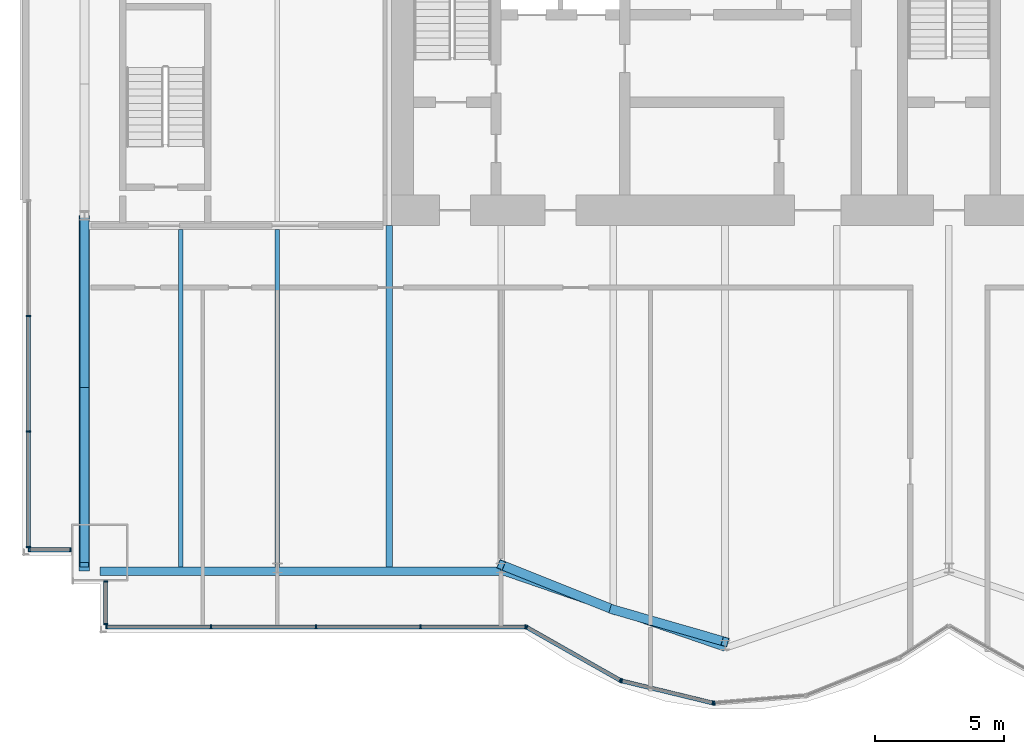
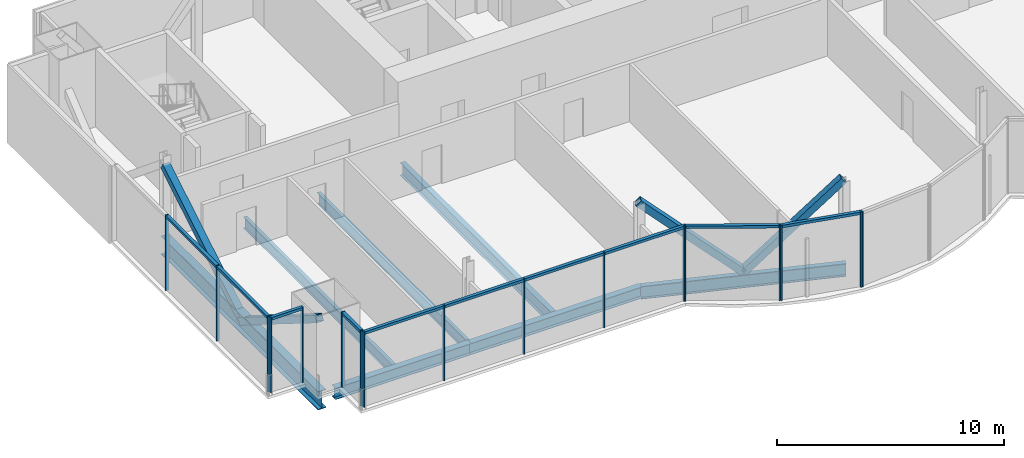
# One storey, part 5 of 19: 31 members, 7 beams, 5 elements without a shape of their own.
"""IFC4 building model written with IfcOpenShell, lengths in metres."""

from ifc_helpers import new_model, si_unit, direction, frame, origin, origin_2d, place, context, subcontext, project, spatial, rectangle, hollow_rectangle, i_section, extrude, material, material_profile, profile_set, type_object, element, aggregate, save


model = new_model("IFC4")

# Units and contexts
model_context = context("Model", 3, precision=1e-05, world=origin(), true_north=direction((0.0, 1.0)))
body_context = subcontext(model_context, "Body", "Model", "MODEL_VIEW")
ifc_project = project(units=[si_unit("LENGTHUNIT", "METRE"), si_unit("AREAUNIT", "SQUARE_METRE"), si_unit("VOLUMEUNIT", "CUBIC_METRE"), si_unit("PLANEANGLEUNIT", "RADIAN"), si_unit("MASSUNIT", "GRAM", prefix="KILO")], contexts=[model_context])

# Site, building, storey
site_placement = place(None, origin())
site = spatial("IfcSite", under=ifc_project, at=site_placement, CompositionType="ELEMENT")
building_placement = place(site_placement, origin())
building = spatial("IfcBuilding", under=site, at=building_placement, Name="Bicima Exchange Tower", CompositionType="ELEMENT")
storey_placement = place(building_placement, frame((0.0, 0.0, 266.60009765625)))
storey = spatial("IfcBuildingStorey", under=building, at=storey_placement, Name="L60", CompositionType="ELEMENT", Elevation=266.60009765625)

# Curtain wall, members
ifc_material_1 = material(Name="Anodised bronze aluminium", Category="aluminium")
curtain_wall_type_1 = type_object("IfcCurtainWallType", Name="End face glass wall", PredefinedType="NOTDEFINED", material=ifc_material_1)
curtain_wall_1_placement = place(storey_placement, origin())
curtain_wall_1 = element("IfcCurtainWall", 1, at=curtain_wall_1_placement, inside=storey, type_object=curtain_wall_type_1, Name="End face glass wall L60 run 2", PredefinedType="NOTDEFINED")
ifc_material_profile_1 = material_profile(ifc_material_1, rectangle(XDim=0.159912109375, YDim=0.06005859375, at=origin_2d()))
ifc_profile_set_1 = profile_set([ifc_material_profile_1], Name="Anodised bronze aluminium")
member_type_1 = type_object("IfcMemberType", Name="End face glass wall mullion 60 x 160", PredefinedType="MULLION", material=ifc_profile_set_1)
member_1_placement = place(storey_placement, frame((-35.77001953125, -16.5146484375, 0.0), z_axis=(0.0, 0.0, 1.0), x_axis=(1.0, 0.0, 0.0)))
member_1 = element("IfcMember", 2, at=member_1_placement, type_object=member_type_1, Name="End face glass wall mullion 2", PredefinedType="MULLION", context=body_context, shape_type="SweptSolid", body=[
    extrude(rectangle(XDim=0.159912109375, YDim=0.06005859375, at=origin_2d()), origin(), (0.0, 0.0, 1.0), 4.0498046875),
])
member_2_placement = place(storey_placement, frame((-35.77001953125, -20.999267578125, 0.0), z_axis=(0.0, 0.0, 1.0), x_axis=(1.0, 0.0, 0.0)))
member_2 = element("IfcMember", 3, at=member_2_placement, type_object=member_type_1, Name="End face glass wall mullion 3", PredefinedType="MULLION", context=body_context, shape_type="SweptSolid", body=[
    extrude(rectangle(XDim=0.159912109375, YDim=0.06005859375, at=origin_2d()), origin(), (0.0, 0.0, 1.0), 4.0498046875),
])
member_3_placement = place(storey_placement, frame((-35.77001953125, -25.48388671875, 0.0), z_axis=(0.0, 0.0, 1.0), x_axis=(1.0, 0.0, 0.0)))
member_3 = element("IfcMember", 4, at=member_3_placement, type_object=member_type_1, Name="End face glass wall mullion 4", PredefinedType="MULLION", context=body_context, shape_type="SweptSolid", body=[
    extrude(rectangle(XDim=0.159912109375, YDim=0.06005859375, at=origin_2d()), origin(), (0.0, 0.0, 1.0), 4.0498046875),
])
ifc_material_profile_2 = material_profile(ifc_material_1, rectangle(XDim=0.159912109375, YDim=0.139892578125, at=origin_2d()))
ifc_profile_set_2 = profile_set([ifc_material_profile_2], Name="Anodised bronze aluminium")
member_type_2 = type_object("IfcMemberType", Name="End face glass wall transom 140 x 160", PredefinedType="USERDEFINED", material=ifc_profile_set_2)
member_4_placement = place(storey_placement, frame((-35.77001953125, -16.544677734375, 3.97998046875), z_axis=(0.0, -1.0, 0.0), x_axis=(1.0, 0.0, 0.0)))
member_4 = element("IfcMember", 5, at=member_4_placement, type_object=member_type_2, Name="End face glass wall transom 2.1", ObjectType="TRANSOM", PredefinedType="USERDEFINED", context=body_context, shape_type="SweptSolid", body=[
    extrude(rectangle(XDim=0.159912109375, YDim=0.139892578125, at=origin_2d()), origin(), (0.0, 0.0, 1.0), 4.424560546875),
])
member_5_placement = place(storey_placement, frame((-35.77001953125, -21.029296875, 3.97998046875), z_axis=(0.0, -1.0, 0.0), x_axis=(1.0, 0.0, 0.0)))
member_5 = element("IfcMember", 6, at=member_5_placement, type_object=member_type_2, Name="End face glass wall transom 3.1", ObjectType="TRANSOM", PredefinedType="USERDEFINED", context=body_context, shape_type="SweptSolid", body=[
    extrude(rectangle(XDim=0.159912109375, YDim=0.139892578125, at=origin_2d()), origin(), (0.0, 0.0, 1.0), 4.4248046875),
])
aggregate(curtain_wall_1, [member_1, member_2, member_3, member_4, member_5])

# Beams
ifc_material_2 = material(Name="Steel ASTM A992 Gr 50", Category="steel")
ifc_material_profile_3 = material_profile(ifc_material_2, i_section(OverallWidth=0.4013671875, OverallDepth=0.990478515625, WebThickness=0.0166015625, FlangeThickness=0.031005859375, at=origin_2d()))
ifc_profile_set_3 = profile_set([ifc_material_profile_3], Name="Steel ASTM A992 Gr 50")
beam_type_1 = type_object("IfcBeamType", Name="End girder W40x215", PredefinedType="BEAM", material=ifc_profile_set_3)
beam_1_placement = place(storey_placement, frame((-33.60009765625, -12.60009765625, -0.6455078125), z_axis=(0.0, -1.0, 0.0), x_axis=(1.0, 0.0, 0.0)))
element("IfcBeam", 7, at=beam_1_placement, inside=storey, type_object=beam_type_1, Name="End girder", PredefinedType="BEAM", context=body_context, shape_type="SweptSolid", body=[
    extrude(i_section(OverallWidth=0.4013671875, OverallDepth=0.990478515625, WebThickness=0.0166015625, FlangeThickness=0.031005859375, at=origin_2d()), origin(), (0.0, 0.0, 1.0), 13.823974609375),
])
ifc_material_profile_4 = material_profile(ifc_material_2, i_section(OverallWidth=0.177978515625, OverallDepth=0.599365234375, WebThickness=0.010009765625, FlangeThickness=0.012939453125, at=origin_2d()))
ifc_profile_set_4 = profile_set([ifc_material_profile_4], Name="Steel ASTM A992 Gr 50")
beam_type_2 = type_object("IfcBeamType", Name="Floor beam W24x55", PredefinedType="JOIST", material=ifc_profile_set_4)
for number, where, z_axis, x_axis, name in (
    (8, (-29.85009765625, -13.15234375, -0.44970703125), (0.0, -1.0, 0.0), (1.0, 0.0, 0.0), "Floor beam"),
    (9, (-26.10009765625, -13.15234375, -0.44970703125), (0.0, -1.0, 0.0), (1.0, 0.0, 0.0), "Floor beam"),
):
    element("IfcBeam", number, at=place(storey_placement, frame(where, z_axis=z_axis, x_axis=x_axis)), inside=storey, type_object=beam_type_2, Name=name, PredefinedType="JOIST", context=body_context, shape_type="SweptSolid", body=[
        extrude(i_section(OverallWidth=0.177978515625, OverallDepth=0.599365234375, WebThickness=0.010009765625, FlangeThickness=0.012939453125, at=origin_2d()), origin(), (0.0, 0.0, 1.0), 13.109130859375),
    ])
ifc_material_profile_5 = material_profile(ifc_material_2, i_section(OverallWidth=0.25390625, OverallDepth=0.67822265625, WebThickness=0.01171875, FlangeThickness=0.016357421875, at=origin_2d()))
ifc_profile_set_5 = profile_set([ifc_material_profile_5], Name="Steel ASTM A992 Gr 50")
beam_type_3 = type_object("IfcBeamType", Name="Floor beam W27x84", PredefinedType="JOIST", material=ifc_profile_set_5)
beam_2_placement = place(storey_placement, frame((-21.75, -13.0, -0.4892578125), z_axis=(0.0, -1.0, 0.0), x_axis=(1.0, 0.0, 0.0)))
element("IfcBeam", 10, at=beam_2_placement, inside=storey, type_object=beam_type_3, Name="Floor beam", PredefinedType="JOIST", context=body_context, shape_type="SweptSolid", body=[
    extrude(i_section(OverallWidth=0.25390625, OverallDepth=0.67822265625, WebThickness=0.01171875, FlangeThickness=0.016357421875, at=origin_2d()), origin(), (0.0, 0.0, 1.0), 13.261474609375),
])
ifc_material_profile_6 = material_profile(ifc_material_2, i_section(OverallWidth=0.3251953125, OverallDepth=0.612060546875, WebThickness=0.0126953125, FlangeThickness=0.01904296875, at=origin_2d()))
ifc_profile_set_6 = profile_set([ifc_material_profile_6], Name="Steel ASTM A992 Gr 50")
beam_type_4 = type_object("IfcBeamType", Name="Front girder W24x104", PredefinedType="BEAM", material=ifc_profile_set_6)
beam_3_placement = place(storey_placement, frame((-33.0, -26.424072265625, -0.456298828125), z_axis=(1.0, 0.0, 0.0), x_axis=(0.0, 1.0, 0.0)))
element("IfcBeam", 11, at=beam_3_placement, inside=storey, type_object=beam_type_4, Name="Front girder", PredefinedType="BEAM", context=body_context, shape_type="SweptSolid", body=[
    extrude(i_section(OverallWidth=0.3251953125, OverallDepth=0.612060546875, WebThickness=0.0126953125, FlangeThickness=0.01904296875, at=origin_2d()), origin(), (0.0, 0.0, 1.0), 6.89990234375),
])
beam_4_placement = place(storey_placement, frame((-26.10009765625, -26.424072265625, -0.456298828125), z_axis=(1.0, 0.0, 0.0), x_axis=(0.0, 1.0, 0.0)))
element("IfcBeam", 12, at=beam_4_placement, inside=storey, type_object=beam_type_4, Name="Front girder", PredefinedType="BEAM", context=body_context, shape_type="SweptSolid", body=[
    extrude(i_section(OverallWidth=0.3251953125, OverallDepth=0.612060546875, WebThickness=0.0126953125, FlangeThickness=0.01904296875, at=origin_2d()), origin(), (0.0, 0.0, 1.0), 8.7001953125),
])
ifc_material_profile_7 = material_profile(ifc_material_2, i_section(OverallWidth=0.256591796875, OverallDepth=0.693359375, WebThickness=0.014404296875, FlangeThickness=0.023681640625, at=origin_2d()))
ifc_profile_set_7 = profile_set([ifc_material_profile_7], Name="Steel ASTM A992 Gr 50")
beam_type_5 = type_object("IfcBeamType", Name="Front girder W27x114", PredefinedType="BEAM", material=ifc_profile_set_7)
beam_5_placement = place(storey_placement, frame((-17.39990234375, -26.424072265625, -0.496826171875), z_axis=(0.945674616091, -0.32511462668, 0.0), x_axis=(0.32511462668, 0.945674616091, 0.0)))
element("IfcBeam", 13, at=beam_5_placement, inside=storey, type_object=beam_type_5, Name="Front girder", PredefinedType="BEAM", context=body_context, shape_type="SweptSolid", body=[
    extrude(i_section(OverallWidth=0.256591796875, OverallDepth=0.693359375, WebThickness=0.014404296875, FlangeThickness=0.023681640625, at=origin_2d()), origin(), (0.0, 0.0, 1.0), 9.19970703125),
])

# Curtain wall, members
curtain_wall_type_2 = type_object("IfcCurtainWallType", Name="Front glass wall", PredefinedType="NOTDEFINED", material=ifc_material_1)
curtain_wall_2_placement = place(storey_placement, origin())
curtain_wall_2 = element("IfcCurtainWall", 14, at=curtain_wall_2_placement, inside=storey, type_object=curtain_wall_type_2, Name="Front glass wall L60 run 3", PredefinedType="NOTDEFINED")
member_type_3 = type_object("IfcMemberType", Name="Front glass wall mullion 60 x 160", PredefinedType="MULLION", material=ifc_profile_set_1)
member_6_placement = place(storey_placement, frame((-35.739990234375, -25.593994140625, 0.0), z_axis=(0.0, 0.0, 1.0), x_axis=(0.0, 1.0, 0.0)))
member_6 = element("IfcMember", 15, at=member_6_placement, type_object=member_type_3, Name="Front glass wall mullion 1", PredefinedType="MULLION", context=body_context, shape_type="SweptSolid", body=[
    extrude(rectangle(XDim=0.159912109375, YDim=0.06005859375, at=origin_2d()), origin(), (0.0, 0.0, 1.0), 4.0498046875),
])
member_7_placement = place(storey_placement, frame((-34.1298828125, -25.593994140625, 0.0), z_axis=(0.0, 0.0, 1.0), x_axis=(0.0, 1.0, 0.0)))
member_7 = element("IfcMember", 16, at=member_7_placement, type_object=member_type_3, Name="Front glass wall mullion 2", PredefinedType="MULLION", context=body_context, shape_type="SweptSolid", body=[
    extrude(rectangle(XDim=0.159912109375, YDim=0.06005859375, at=origin_2d()), origin(), (0.0, 0.0, 1.0), 4.0498046875),
])

curtain_wall_3_placement = place(storey_placement, origin())
curtain_wall_3 = element("IfcCurtainWall", 17, at=curtain_wall_3_placement, inside=storey, type_object=curtain_wall_type_2, Name="Front glass wall L60 run 4", PredefinedType="NOTDEFINED")
member_8_placement = place(storey_placement, frame((-32.77001953125, -26.83203125, 0.0), z_axis=(0.0, 0.0, 1.0), x_axis=(1.0, 0.0, 0.0)))
member_8 = element("IfcMember", 18, at=member_8_placement, type_object=member_type_3, Name="Front glass wall mullion 1", PredefinedType="MULLION", context=body_context, shape_type="SweptSolid", body=[
    extrude(rectangle(XDim=0.159912109375, YDim=0.06005859375, at=origin_2d()), origin(), (0.0, 0.0, 1.0), 4.0498046875),
])
member_9_placement = place(storey_placement, frame((-32.77001953125, -28.48388671875, 0.0), z_axis=(0.0, 0.0, 1.0), x_axis=(1.0, 0.0, 0.0)))
member_9 = element("IfcMember", 19, at=member_9_placement, type_object=member_type_3, Name="Front glass wall mullion 2", PredefinedType="MULLION", context=body_context, shape_type="SweptSolid", body=[
    extrude(rectangle(XDim=0.159912109375, YDim=0.06005859375, at=origin_2d()), origin(), (0.0, 0.0, 1.0), 4.0498046875),
])

curtain_wall_4_placement = place(storey_placement, origin())
curtain_wall_4 = element("IfcCurtainWall", 20, at=curtain_wall_4_placement, inside=storey, type_object=curtain_wall_type_2, Name="Front glass wall L60 run 5", PredefinedType="NOTDEFINED")
member_10_placement = place(storey_placement, frame((-32.739990234375, -28.593994140625, 0.0), z_axis=(0.0, 0.0, 1.0), x_axis=(0.0, 1.0, 0.0)))
member_10 = element("IfcMember", 21, at=member_10_placement, type_object=member_type_3, Name="Front glass wall mullion 1", PredefinedType="MULLION", context=body_context, shape_type="SweptSolid", body=[
    extrude(rectangle(XDim=0.159912109375, YDim=0.06005859375, at=origin_2d()), origin(), (0.0, 0.0, 1.0), 4.0498046875),
])
member_11_placement = place(storey_placement, frame((-28.67041015625, -28.593994140625, 0.0), z_axis=(0.0, 0.0, 1.0), x_axis=(0.0, 1.0, 0.0)))
member_11 = element("IfcMember", 22, at=member_11_placement, type_object=member_type_3, Name="Front glass wall mullion 2", PredefinedType="MULLION", context=body_context, shape_type="SweptSolid", body=[
    extrude(rectangle(XDim=0.159912109375, YDim=0.06005859375, at=origin_2d()), origin(), (0.0, 0.0, 1.0), 4.0498046875),
])
member_12_placement = place(storey_placement, frame((-24.60107421875, -28.593994140625, 0.0), z_axis=(0.0, 0.0, 1.0), x_axis=(0.0, 1.0, 0.0)))
member_12 = element("IfcMember", 23, at=member_12_placement, type_object=member_type_3, Name="Front glass wall mullion 3", PredefinedType="MULLION", context=body_context, shape_type="SweptSolid", body=[
    extrude(rectangle(XDim=0.159912109375, YDim=0.06005859375, at=origin_2d()), origin(), (0.0, 0.0, 1.0), 4.0498046875),
])
member_13_placement = place(storey_placement, frame((-20.531494140625, -28.593994140625, 0.0), z_axis=(0.0, 0.0, 1.0), x_axis=(0.0, 1.0, 0.0)))
member_13 = element("IfcMember", 24, at=member_13_placement, type_object=member_type_3, Name="Front glass wall mullion 4", PredefinedType="MULLION", context=body_context, shape_type="SweptSolid", body=[
    extrude(rectangle(XDim=0.159912109375, YDim=0.06005859375, at=origin_2d()), origin(), (0.0, 0.0, 1.0), 4.0498046875),
])
member_14_placement = place(storey_placement, frame((-16.462158203125, -28.593994140625, 0.0), z_axis=(0.0, 0.0, 1.0), x_axis=(0.0, 1.0, 0.0)))
member_14 = element("IfcMember", 25, at=member_14_placement, type_object=member_type_3, Name="Front glass wall mullion 5", PredefinedType="MULLION", context=body_context, shape_type="SweptSolid", body=[
    extrude(rectangle(XDim=0.159912109375, YDim=0.06005859375, at=origin_2d()), origin(), (0.0, 0.0, 1.0), 4.0498046875),
])

curtain_wall_5_placement = place(storey_placement, origin())
curtain_wall_5 = element("IfcCurtainWall", 26, at=curtain_wall_5_placement, inside=storey, type_object=curtain_wall_type_2, Name="Front glass wall L60 run 6", PredefinedType="NOTDEFINED")
member_15_placement = place(storey_placement, frame((-16.406005859375, -28.60888671875, 0.0), z_axis=(0.0, 0.0, 1.0), x_axis=(0.493395449343, 0.869805110681, 0.0)))
member_15 = element("IfcMember", 27, at=member_15_placement, type_object=member_type_3, Name="Front glass wall mullion 1", PredefinedType="MULLION", context=body_context, shape_type="SweptSolid", body=[
    extrude(rectangle(XDim=0.159912109375, YDim=0.06005859375, at=origin_2d()), origin(), (0.0, 0.0, 1.0), 4.0498046875),
])
member_16_placement = place(storey_placement, frame((-12.7734375, -30.66943359375, 0.0), z_axis=(0.0, 0.0, 1.0), x_axis=(0.493395449343, 0.869805110681, 0.0)))
member_16 = element("IfcMember", 28, at=member_16_placement, type_object=member_type_3, Name="Front glass wall mullion 2", PredefinedType="MULLION", context=body_context, shape_type="SweptSolid", body=[
    extrude(rectangle(XDim=0.159912109375, YDim=0.06005859375, at=origin_2d()), origin(), (0.0, 0.0, 1.0), 4.0498046875),
])
member_17_placement = place(storey_placement, frame((-12.718017578125, -30.69140625, 0.0), z_axis=(0.0, 0.0, 1.0), x_axis=(0.235681529503, 0.971830343553, 0.0)))
member_17 = element("IfcMember", 29, at=member_17_placement, type_object=member_type_3, Name="Front glass wall mullion 1", PredefinedType="MULLION", context=body_context, shape_type="SweptSolid", body=[
    extrude(rectangle(XDim=0.159912109375, YDim=0.06005859375, at=origin_2d()), origin(), (0.0, 0.0, 1.0), 4.0498046875),
])
member_18_placement = place(storey_placement, frame((-9.177490234375, -31.5498046875, 0.0), z_axis=(0.0, 0.0, 1.0), x_axis=(0.235681529503, 0.971830343553, 0.0)))
member_18 = element("IfcMember", 30, at=member_18_placement, type_object=member_type_3, Name="Front glass wall mullion 2", PredefinedType="MULLION", context=body_context, shape_type="SweptSolid", body=[
    extrude(rectangle(XDim=0.159912109375, YDim=0.06005859375, at=origin_2d()), origin(), (0.0, 0.0, 1.0), 4.0498046875),
])
member_19_placement = place(storey_placement, frame((-9.118408203125, -31.5546875, 0.0), z_axis=(0.0, 0.0, 1.0), x_axis=(-0.080588612633, 0.99674744821, 0.0)))
member_19 = element("IfcMember", 31, at=member_19_placement, type_object=member_type_3, Name="Front glass wall mullion 1", PredefinedType="MULLION", context=body_context, shape_type="SweptSolid", body=[
    extrude(rectangle(XDim=0.159912109375, YDim=0.06005859375, at=origin_2d()), origin(), (0.0, 0.0, 1.0), 4.0498046875),
])

# Member
member_type_4 = type_object("IfcMemberType", Name="Front glass wall transom 140 x 160", PredefinedType="USERDEFINED", material=ifc_profile_set_2)
member_20_placement = place(storey_placement, frame((-35.7099609375, -25.593994140625, 3.97998046875), z_axis=(1.0, 0.0, 0.0), x_axis=(0.0, 1.0, 0.0)))
member_20 = element("IfcMember", 32, at=member_20_placement, type_object=member_type_4, Name="Front glass wall transom 1.1", ObjectType="TRANSOM", PredefinedType="USERDEFINED", context=body_context, shape_type="SweptSolid", body=[
    extrude(rectangle(XDim=0.159912109375, YDim=0.139892578125, at=origin_2d()), origin(), (0.0, 0.0, 1.0), 1.550048828125),
])

aggregate(curtain_wall_2, [member_6, member_7, member_20])

member_21_placement = place(storey_placement, frame((-32.77001953125, -26.862060546875, 3.97998046875), z_axis=(0.0, -1.0, 0.0), x_axis=(1.0, 0.0, 0.0)))
member_21 = element("IfcMember", 33, at=member_21_placement, type_object=member_type_4, Name="Front glass wall transom 1.1", ObjectType="TRANSOM", PredefinedType="USERDEFINED", context=body_context, shape_type="SweptSolid", body=[
    extrude(rectangle(XDim=0.159912109375, YDim=0.139892578125, at=origin_2d()), origin(), (0.0, 0.0, 1.0), 1.592041015625),
])

aggregate(curtain_wall_3, [member_8, member_9, member_21])

member_22_placement = place(storey_placement, frame((-32.7099609375, -28.593994140625, 3.97998046875), z_axis=(1.0, 0.0, 0.0), x_axis=(0.0, 1.0, 0.0)))
member_22 = element("IfcMember", 34, at=member_22_placement, type_object=member_type_4, Name="Front glass wall transom 1.1", ObjectType="TRANSOM", PredefinedType="USERDEFINED", context=body_context, shape_type="SweptSolid", body=[
    extrude(rectangle(XDim=0.159912109375, YDim=0.139892578125, at=origin_2d()), origin(), (0.0, 0.0, 1.0), 4.009521484375),
])

member_23_placement = place(storey_placement, frame((-28.640380859375, -28.593994140625, 3.97998046875), z_axis=(1.0, 0.0, 0.0), x_axis=(0.0, 1.0, 0.0)))
member_23 = element("IfcMember", 35, at=member_23_placement, type_object=member_type_4, Name="Front glass wall transom 2.1", ObjectType="TRANSOM", PredefinedType="USERDEFINED", context=body_context, shape_type="SweptSolid", body=[
    extrude(rectangle(XDim=0.159912109375, YDim=0.139892578125, at=origin_2d()), origin(), (0.0, 0.0, 1.0), 4.00927734375),
])

member_24_placement = place(storey_placement, frame((-24.571044921875, -28.593994140625, 3.97998046875), z_axis=(1.0, 0.0, 0.0), x_axis=(0.0, 1.0, 0.0)))
member_24 = element("IfcMember", 36, at=member_24_placement, type_object=member_type_4, Name="Front glass wall transom 3.1", ObjectType="TRANSOM", PredefinedType="USERDEFINED", context=body_context, shape_type="SweptSolid", body=[
    extrude(rectangle(XDim=0.159912109375, YDim=0.139892578125, at=origin_2d()), origin(), (0.0, 0.0, 1.0), 4.009521484375),
])

member_25_placement = place(storey_placement, frame((-20.501708984375, -28.593994140625, 3.97998046875), z_axis=(1.0, 0.0, 0.0), x_axis=(0.0, 1.0, 0.0)))
member_25 = element("IfcMember", 37, at=member_25_placement, type_object=member_type_4, Name="Front glass wall transom 4.1", ObjectType="TRANSOM", PredefinedType="USERDEFINED", context=body_context, shape_type="SweptSolid", body=[
    extrude(rectangle(XDim=0.159912109375, YDim=0.139892578125, at=origin_2d()), origin(), (0.0, 0.0, 1.0), 4.009521484375),
])

aggregate(curtain_wall_4, [member_10, member_11, member_12, member_13, member_14, member_22, member_23, member_24, member_25])

member_26_placement = place(storey_placement, frame((-16.3798828125, -28.62353515625, 3.97998046875), z_axis=(0.869797371721, -0.49340909208, 0.0), x_axis=(0.49340909208, 0.869797371721, 0.0)))
member_26 = element("IfcMember", 38, at=member_26_placement, type_object=member_type_4, Name="Front glass wall transom 1.1", ObjectType="TRANSOM", PredefinedType="USERDEFINED", context=body_context, shape_type="SweptSolid", body=[
    extrude(rectangle(XDim=0.159912109375, YDim=0.139892578125, at=origin_2d()), origin(), (0.0, 0.0, 1.0), 4.1162109375),
])

member_27_placement = place(storey_placement, frame((-12.68896484375, -30.6982421875, 3.97998046875), z_axis=(0.971817951661, -0.235732621477, 0.0), x_axis=(0.235732621477, 0.971817951661, 0.0)))
member_27 = element("IfcMember", 39, at=member_27_placement, type_object=member_type_4, Name="Front glass wall transom 1.1", ObjectType="TRANSOM", PredefinedType="USERDEFINED", context=body_context, shape_type="SweptSolid", body=[
    extrude(rectangle(XDim=0.159912109375, YDim=0.139892578125, at=origin_2d()), origin(), (0.0, 0.0, 1.0), 3.58349609375),
])

aggregate(curtain_wall_5, [member_15, member_16, member_26, member_17, member_18, member_27, member_19])

# Members
ifc_material_3 = material(Name="Steel ASTM A572 Gr 50", Category="steel")
ifc_material_profile_8 = material_profile(ifc_material_3, hollow_rectangle(XDim=0.355712890625, YDim=0.355712890625, WallThickness=0.0146484375, at=origin_2d()))
ifc_profile_set_8 = profile_set([ifc_material_profile_8], Name="Steel ASTM A572 Gr 50")
member_type_5 = type_object("IfcMemberType", Name="Mega brace HSS14x14x5/8", PredefinedType="BRACE", material=ifc_profile_set_8)
member_28_placement = place(storey_placement, frame((-13.050048828125, -27.91943359375, 0.0), z_axis=(0.704477663836, -0.202708327674, 0.680162153495), x_axis=(0.276522876258, 0.961007335511, 0.0)))
element("IfcMember", 40, at=member_28_placement, inside=storey, type_object=member_type_5, Name="Mega brace front", PredefinedType="BRACE", context=body_context, shape_type="SweptSolid", body=[
    extrude(hollow_rectangle(XDim=0.355712890625, YDim=0.355712890625, WallThickness=0.0146484375, at=origin_2d()), origin(), (0.0, 0.0, 1.0), 6.1748046875),
])
member_29_placement = place(storey_placement, frame((-13.050048828125, -27.91943359375, 0.0), z_axis=(-0.691353360339, 0.276471498704, 0.667528307679), x_axis=(-0.371309808925, -0.928509033772, 0.0)))
element("IfcMember", 41, at=member_29_placement, inside=storey, type_object=member_type_5, Name="Mega brace front", PredefinedType="BRACE", context=body_context, shape_type="SweptSolid", body=[
    extrude(hollow_rectangle(XDim=0.355712890625, YDim=0.355712890625, WallThickness=0.0146484375, at=origin_2d()), origin(), (0.0, 0.0, 1.0), 6.291748046875),
])
member_30_placement = place(storey_placement, frame((-33.60009765625, -19.389892578125, -0.6455078125), z_axis=(0.0, -0.848238096898, 0.529615078119), x_axis=(1.0, 0.0, 0.0)))
element("IfcMember", 42, at=member_30_placement, inside=storey, type_object=member_type_5, Name="Mega brace west end", PredefinedType="BRACE", context=body_context, shape_type="SweptSolid", body=[
    extrude(hollow_rectangle(XDim=0.355712890625, YDim=0.355712890625, WallThickness=0.0146484375, at=origin_2d()), origin(), (0.0, 0.0, 1.0), 8.0048828125),
])
member_31_placement = place(storey_placement, frame((-33.60009765625, -19.634033203125, -0.6455078125), z_axis=(0.0, 0.856463010787, 0.516208398956), x_axis=(-1.0, 0.0, 0.0)))
element("IfcMember", 43, at=member_31_placement, inside=storey, type_object=member_type_5, Name="Mega brace west end", PredefinedType="BRACE", context=body_context, shape_type="SweptSolid", body=[
    extrude(hollow_rectangle(XDim=0.355712890625, YDim=0.355712890625, WallThickness=0.0146484375, at=origin_2d()), origin(), (0.0, 0.0, 1.0), 8.212890625),
])

save(model, "model.ifc")
